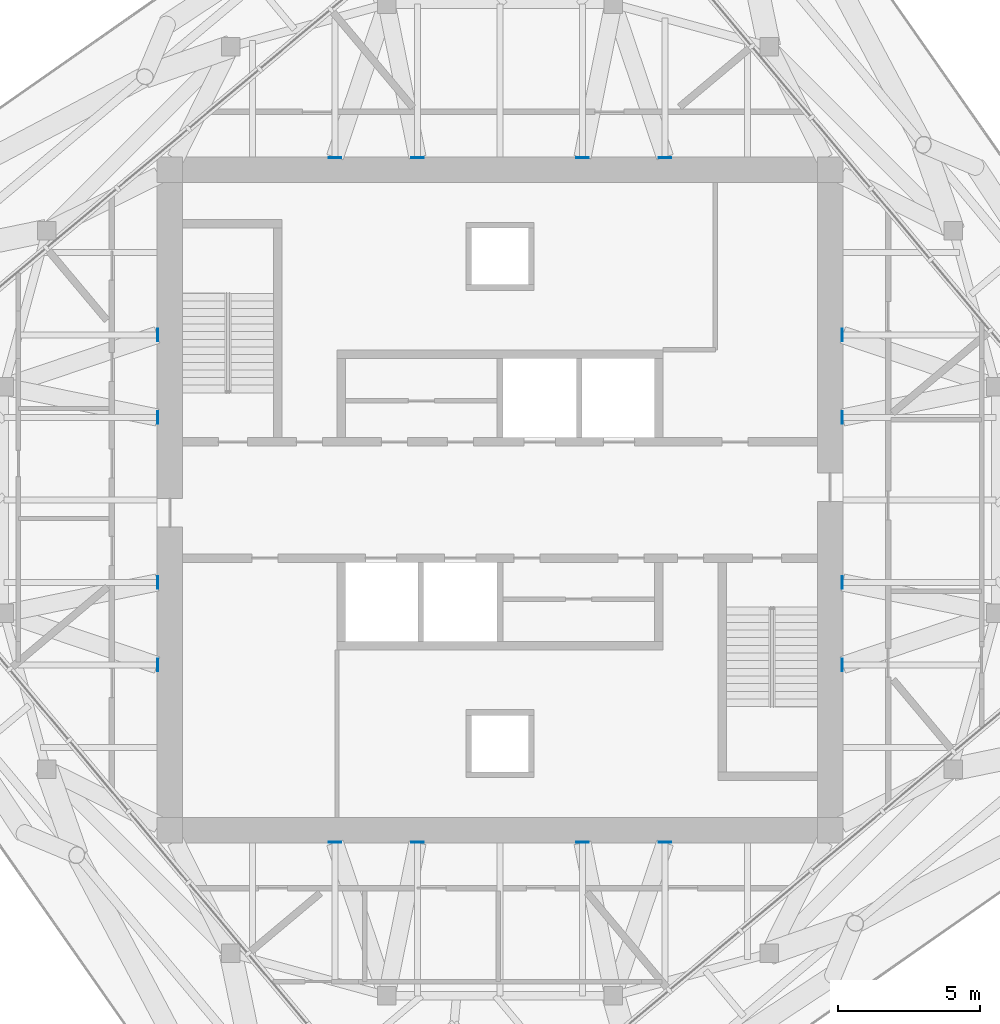
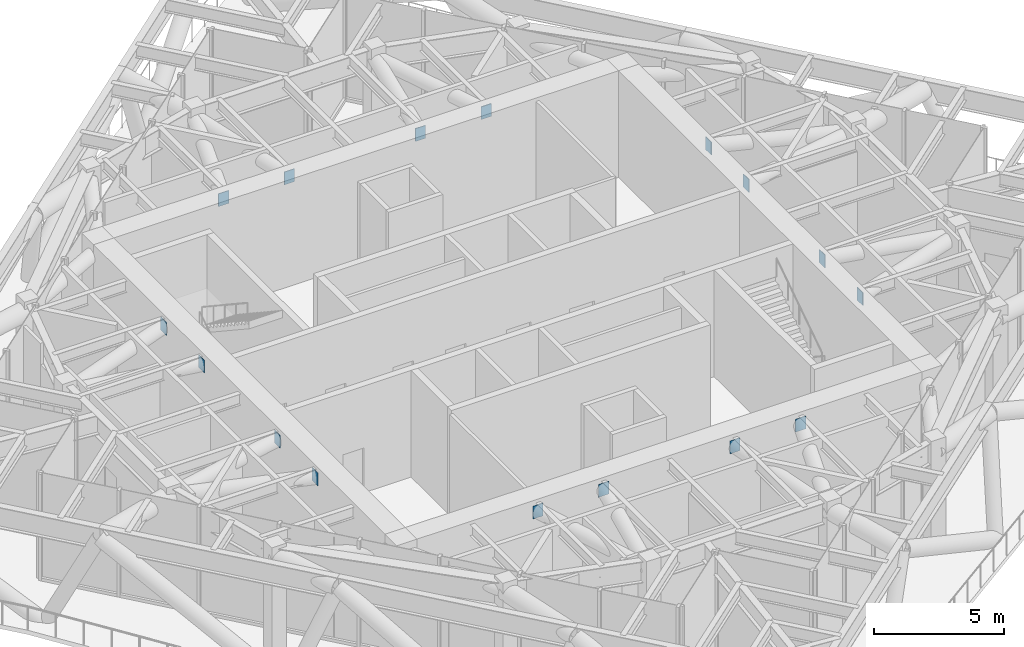
# One storey, part 10 of 15: 16 discrete accessories.
"""IFC4 building model written with IfcOpenShell, lengths in metres."""

import ifcopenshell
import ifcopenshell.guid

model = None  # the IFC model being written
_history = None  # IfcOwnerHistory: only IFC2X3 demands one
_inside = {}  # id of a spatial element -> (the spatial element, [elements in it])
_under = {}  # id of a project, library or spatial element -> (it, [spatial elements below it])
_declared = {}  # id of a project -> (the project, [libraries it declares])
_typed = {}  # id of a type object -> (the type object, [elements of that type])
_made_of = {}  # id of a material, layer set ... -> (it, [elements and type objects made of it])


def new_model(schema):
    """Start an empty IFC model of exactly this schema.

    Asked for "IFC4X3", IfcOpenShell would pick the latest addendum, in which some entities
    have other attributes; the version numbers below select the first issue.
    IFC2X3 requires an IfcOwnerHistory on every rooted entity: one is made here for all.
    """
    global model, _history
    if schema == "IFC4X3":
        model = ifcopenshell.file(schema_version=(4, 3, 0, 0))
    else:
        model = ifcopenshell.file(schema=schema)
    _inside.clear()
    _under.clear()
    _declared.clear()
    _typed.clear()
    _made_of.clear()
    _history = None
    if model.schema == "IFC2X3":
        org = make("IfcOrganization", Name="unknown")
        user = make(
            "IfcPersonAndOrganization",
            ThePerson=make("IfcPerson", FamilyName="unknown"),
            TheOrganization=org,
        )
        app = make(
            "IfcApplication",
            ApplicationDeveloper=org,
            Version="unknown",
            ApplicationFullName="unknown",
            ApplicationIdentifier="unknown",
        )
        _history = make(
            "IfcOwnerHistory",
            OwningUser=user,
            OwningApplication=app,
            ChangeAction="ADDED",
            CreationDate=0,
        )
    return model


def make(cls, **values):
    """One entity of the class cls with the attributes given. An attribute that is None is left unset."""
    return model.create_entity(
        cls, **{name: value for name, value in values.items() if value is not None}
    )


def rooted(cls, **values):
    """An entity with a GlobalId (a new one), such as an element, a storey or a relation."""
    return make(cls, GlobalId=ifcopenshell.guid.new(), OwnerHistory=_history, **values)


def si_unit(unit_type, name, prefix=None):
    """IfcSIUnit, for example si_unit("LENGTHUNIT", "METRE", prefix="MILLI")."""
    return make("IfcSIUnit", UnitType=unit_type, Prefix=prefix, Name=name)


def assignment(units):
    """IfcUnitAssignment: the units of a project."""
    return None if units is None else make("IfcUnitAssignment", Units=units)


def point(xyz):
    """IfcCartesianPoint."""
    return None if xyz is None else make("IfcCartesianPoint", Coordinates=xyz)


def direction(xyz):
    """IfcDirection."""
    return None if xyz is None else make("IfcDirection", DirectionRatios=xyz)


def frame(location, z_axis=None, x_axis=None):
    """IfcAxis2Placement3D, a coordinate frame: its origin and axes. An axis left out is left unset."""
    return make(
        "IfcAxis2Placement3D",
        Location=point(location),
        Axis=direction(z_axis),
        RefDirection=direction(x_axis),
    )


def frame_2d(location, x_axis=None):
    """IfcAxis2Placement2D, a coordinate frame in the plane: its origin and x axis."""
    return make(
        "IfcAxis2Placement2D", Location=point(location), RefDirection=direction(x_axis)
    )


def origin():
    """The frame at (0, 0, 0) with its axes left unset."""
    return frame((0.0, 0.0, 0.0))


def origin_2d():
    """The frame at (0, 0) in the plane with its x axis left unset."""
    return frame_2d((0.0, 0.0))


def place(relative_to, where):
    """IfcLocalPlacement: puts the frame where relative to a parent placement (None: the world)."""
    return make(
        "IfcLocalPlacement", PlacementRelTo=relative_to, RelativePlacement=where
    )


def context(
    kind, dimensions, precision=None, world=None, true_north=None, identifier=None
):
    """IfcGeometricRepresentationContext, for example the 3D "Model" context."""
    return make(
        "IfcGeometricRepresentationContext",
        ContextIdentifier=identifier,
        ContextType=kind,
        CoordinateSpaceDimension=dimensions,
        Precision=precision,
        WorldCoordinateSystem=world,
        TrueNorth=true_north,
    )


def subcontext(parent, identifier, kind, view, scale=None):
    """IfcGeometricRepresentationSubContext, for example "Body" below "Model"."""
    return make(
        "IfcGeometricRepresentationSubContext",
        ContextIdentifier=identifier,
        ContextType=kind,
        ParentContext=parent,
        TargetScale=scale,
        TargetView=view,
    )


def project(units=None, contexts=None):
    """IfcProject with its units and contexts."""
    return rooted(
        "IfcProject",
        Name="project",
        RepresentationContexts=contexts,
        UnitsInContext=assignment(units),
    )


def spatial(cls, under=None, at=None, **own):
    """A site, building, storey or space (cls), placed at a placement, below another one or the project."""
    s = rooted(cls, ObjectPlacement=at, **own)
    if under is not None:
        _under.setdefault(under.id(), (under, []))[1].append(s)
    return s


def profile(cls, at=None, kind="AREA", **sizes):
    """A parametric profile (cls). Its sizes go by their IFC names, for example OverallWidth=200.0."""
    return make(cls, ProfileType=kind, Position=at, **sizes)


def rectangle(**sizes):
    """IfcRectangleProfileDef."""
    return profile("IfcRectangleProfileDef", **sizes)


def extrude(swept, where, along, depth):
    """IfcExtrudedAreaSolid: the profile swept, set in the frame where, extruded along a direction by depth."""
    return make(
        "IfcExtrudedAreaSolid",
        SweptArea=swept,
        Position=where,
        ExtrudedDirection=direction(along),
        Depth=depth,
    )


def shape(context_of_items, identifier, shape_type, items):
    """IfcShapeRepresentation: the items that make up one representation, for example the "Body"."""
    return make(
        "IfcShapeRepresentation",
        ContextOfItems=context_of_items,
        RepresentationIdentifier=identifier,
        RepresentationType=shape_type,
        Items=items,
    )


def material(Name=None, Category=None):
    """IfcMaterial."""
    return make("IfcMaterial", Name=Name, Category=Category)


def layer(
    of_material, thickness, ventilated=None, Name=None, Category=None, Priority=None
):
    """IfcMaterialLayer: one layer of a wall or slab, of a material (None: an air gap)."""
    return make(
        "IfcMaterialLayer",
        Material=of_material,
        LayerThickness=thickness,
        IsVentilated=ventilated,
        Name=Name,
        Category=Category,
        Priority=Priority,
    )


def layer_set(layers, Name=None):
    """IfcMaterialLayerSet."""
    return make("IfcMaterialLayerSet", MaterialLayers=layers, LayerSetName=Name)


def made_of(thing, what):
    """Note that an element or type object is made of a material, layer set ...; save() writes the relation."""
    if what is not None:
        _made_of.setdefault(what.id(), (what, []))[1].append(thing)
    return thing


def type_object(cls, material=None, **own):
    """A type object (cls), such as IfcWallType, which elements share."""
    return made_of(rooted(cls, **own), material)


def element(
    cls,
    number,
    at=None,
    inside=None,
    cuts=None,
    type_object=None,
    material=None,
    context=None,
    identifier="Body",
    shape_type=None,
    held_by="IfcProductDefinitionShape",
    body=None,
    shapes=None,
    **own,
):
    """One element of the class cls, such as IfcWall. Its Tag is "e" and its number.

    at: its placement. inside: the storey or other place that contains it. cuts: it is an
    opening in that element (IfcRelVoidsElement). A single representation is given by context,
    identifier, shape_type and body (its items); several are given by shapes. held_by: the class
    of the entity that holds the representations. save() writes the other relations.
    """
    e = rooted(cls, Tag="e%d" % number, ObjectPlacement=at, **own)
    if body is not None:
        shapes = [shape(context, identifier, shape_type, body)]
    if shapes is not None:
        e.Representation = make(held_by, Representations=shapes)
    if inside is not None:
        _inside.setdefault(inside.id(), (inside, []))[1].append(e)
    if cuts is not None:
        rooted(
            "IfcRelVoidsElement", RelatingBuildingElement=cuts, RelatedOpeningElement=e
        )
    if type_object is not None:
        _typed.setdefault(type_object.id(), (type_object, []))[1].append(e)
    return made_of(e, material)


def aggregate(whole, parts):
    """IfcRelAggregates: a whole, such as a stair, and the parts it consists of."""
    return rooted("IfcRelAggregates", RelatingObject=whole, RelatedObjects=parts)


def save(model, path):
    """Write the relations noted so far, then the file.

    IfcRelAggregates (storeys below a building ...), IfcRelContainedInSpatialStructure (elements
    in a storey), IfcRelDefinesByType, IfcRelAssociatesMaterial and IfcRelDeclares: one each for
    every whole, place, type object, material and project.
    """
    for whole, parts in _under.values():
        aggregate(whole, parts)
    for where, things in _inside.values():
        rooted(
            "IfcRelContainedInSpatialStructure",
            RelatedElements=things,
            RelatingStructure=where,
        )
    for kind, things in _typed.values():
        rooted("IfcRelDefinesByType", RelatedObjects=things, RelatingType=kind)
    for what, things in _made_of.values():
        rooted("IfcRelAssociatesMaterial", RelatedObjects=things, RelatingMaterial=what)
    for by, libraries in _declared.values():
        rooted("IfcRelDeclares", RelatingContext=by, RelatedDefinitions=libraries)
    model.write(path)


model = new_model("IFC4")

# Units and contexts
model_context = context("Model", 3, precision=1e-05, world=origin(), true_north=direction((0.0, 1.0)))
body_context = subcontext(model_context, "Body", "Model", "MODEL_VIEW")
ifc_project = project(units=[si_unit("LENGTHUNIT", "METRE"), si_unit("AREAUNIT", "SQUARE_METRE"), si_unit("VOLUMEUNIT", "CUBIC_METRE"), si_unit("PLANEANGLEUNIT", "RADIAN"), si_unit("MASSUNIT", "GRAM", prefix="KILO")], contexts=[model_context])

# Site, building, storey
site_placement = place(None, origin())
site = spatial("IfcSite", under=ifc_project, at=site_placement, CompositionType="ELEMENT")
building_placement = place(site_placement, origin())
building = spatial("IfcBuilding", under=site, at=building_placement, Name="Torsade Residences", CompositionType="ELEMENT")
storey_placement = place(building_placement, frame((0.0, 0.0, 267.60009765625)))
storey = spatial("IfcBuildingStorey", under=building, at=storey_placement, Name="L74", CompositionType="ELEMENT", Elevation=267.60009765625)

# Discrete accessories
ifc_material = material(Name="Steel grade 350", Category="steel")
ifc_layer = layer(ifc_material, 0.031982421875)
ifc_layer_set = layer_set([ifc_layer], Name="Steel grade 350")
discrete_accessory_type = type_object("IfcDiscreteAccessoryType", Name="CAST-IN PLATE 450x600x32", PredefinedType="ANCHORPLATE", material=ifc_layer_set)
for number, where, z_axis, x_axis, name in (
    (1, (52.083984375, 27.08740234375, 4.1357421875), (0.0, 0.0, 1.0), (1.0, 0.0, 0.0), "Cast-in plate PB1 PB-L75-IR01IE03"),
    (2, (52.083984375, 24.175048828125, 4.1357421875), (0.0, 0.0, 1.0), (1.0, 0.0, 0.0), "Cast-in plate PB1 PB-L75-IR01IE02"),
    (3, (52.083984375, 32.91259765625, 4.1357421875), (0.0, 0.0, 1.0), (1.0, 0.0, 0.0), "Cast-in plate PB1 PB-L75-IR02IE05"),
    (4, (52.083984375, 35.824951171875, 4.1357421875), (0.0, 0.0, 1.0), (1.0, 0.0, 0.0), "Cast-in plate PB1 PB-L75-IR02IE06"),
):
    element("IfcDiscreteAccessory", number, at=place(storey_placement, frame(where, z_axis=z_axis, x_axis=x_axis)), inside=storey, type_object=discrete_accessory_type, Name=name, PredefinedType="ANCHORPLATE", context=body_context, shape_type="SweptSolid", body=[
        extrude(rectangle(XDim=0.031982421875, YDim=0.449951171875, at=origin_2d()), origin(), (0.0, 0.0, 1.0), 0.60009765625),
    ])
for number, where, z_axis, x_axis, name in (
    (5, (42.91259765625, 42.083984375, 4.1357421875), (0.0, 0.0, 1.0), (1.0, 0.0, 0.0), "Cast-in plate PB1 PB-L75-IR05IN05"),
    (6, (45.824951171875, 42.083984375, 4.1357421875), (0.0, 0.0, 1.0), (1.0, 0.0, 0.0), "Cast-in plate PB1 PB-L75-IR05IN06"),
    (7, (37.08740234375, 42.083984375, 4.1357421875), (0.0, 0.0, 1.0), (1.0, 0.0, 0.0), "Cast-in plate PB1 PB-L75-IR06IN03"),
    (8, (34.175048828125, 42.083984375, 4.1357421875), (0.0, 0.0, 1.0), (1.0, 0.0, 0.0), "Cast-in plate PB1 PB-L75-IR06IN02"),
):
    element("IfcDiscreteAccessory", number, at=place(storey_placement, frame(where, z_axis=z_axis, x_axis=x_axis)), inside=storey, type_object=discrete_accessory_type, Name=name, PredefinedType="ANCHORPLATE", context=body_context, shape_type="SweptSolid", body=[
        extrude(rectangle(XDim=0.449951171875, YDim=0.031982421875, at=origin_2d()), origin(), (0.0, 0.0, 1.0), 0.60009765625),
    ])
for number, where, z_axis, x_axis, name in (
    (9, (27.916015625, 32.91259765625, 4.1357421875), (0.0, 0.0, 1.0), (1.0, 0.0, 0.0), "Cast-in plate PB1 PB-L75-IR09IW03"),
    (10, (27.916015625, 35.824951171875, 4.1357421875), (0.0, 0.0, 1.0), (1.0, 0.0, 0.0), "Cast-in plate PB1 PB-L75-IR09IW02"),
    (11, (27.916015625, 27.08740234375, 4.1357421875), (0.0, 0.0, 1.0), (1.0, 0.0, 0.0), "Cast-in plate PB1 PB-L75-IR10IW05"),
    (12, (27.916015625, 24.175048828125, 4.1357421875), (0.0, 0.0, 1.0), (1.0, 0.0, 0.0), "Cast-in plate PB1 PB-L75-IR10IW06"),
):
    element("IfcDiscreteAccessory", number, at=place(storey_placement, frame(where, z_axis=z_axis, x_axis=x_axis)), inside=storey, type_object=discrete_accessory_type, Name=name, PredefinedType="ANCHORPLATE", context=body_context, shape_type="SweptSolid", body=[
        extrude(rectangle(XDim=0.031982421875, YDim=0.449951171875, at=origin_2d()), origin(), (0.0, 0.0, 1.0), 0.60009765625),
    ])
for number, where, z_axis, x_axis, name in (
    (13, (37.08740234375, 17.916015625, 4.1357421875), (0.0, 0.0, 1.0), (1.0, 0.0, 0.0), "Cast-in plate PB1 PB-L75-IR13IS05"),
    (14, (34.175048828125, 17.916015625, 4.1357421875), (0.0, 0.0, 1.0), (1.0, 0.0, 0.0), "Cast-in plate PB1 PB-L75-IR13IS06"),
    (15, (42.91259765625, 17.916015625, 4.1357421875), (0.0, 0.0, 1.0), (1.0, 0.0, 0.0), "Cast-in plate PB1 PB-L75-IR14IS03"),
    (16, (45.824951171875, 17.916015625, 4.1357421875), (0.0, 0.0, 1.0), (1.0, 0.0, 0.0), "Cast-in plate PB1 PB-L75-IR14IS02"),
):
    element("IfcDiscreteAccessory", number, at=place(storey_placement, frame(where, z_axis=z_axis, x_axis=x_axis)), inside=storey, type_object=discrete_accessory_type, Name=name, PredefinedType="ANCHORPLATE", context=body_context, shape_type="SweptSolid", body=[
        extrude(rectangle(XDim=0.449951171875, YDim=0.031982421875, at=origin_2d()), origin(), (0.0, 0.0, 1.0), 0.60009765625),
    ])

save(model, "model.ifc")
